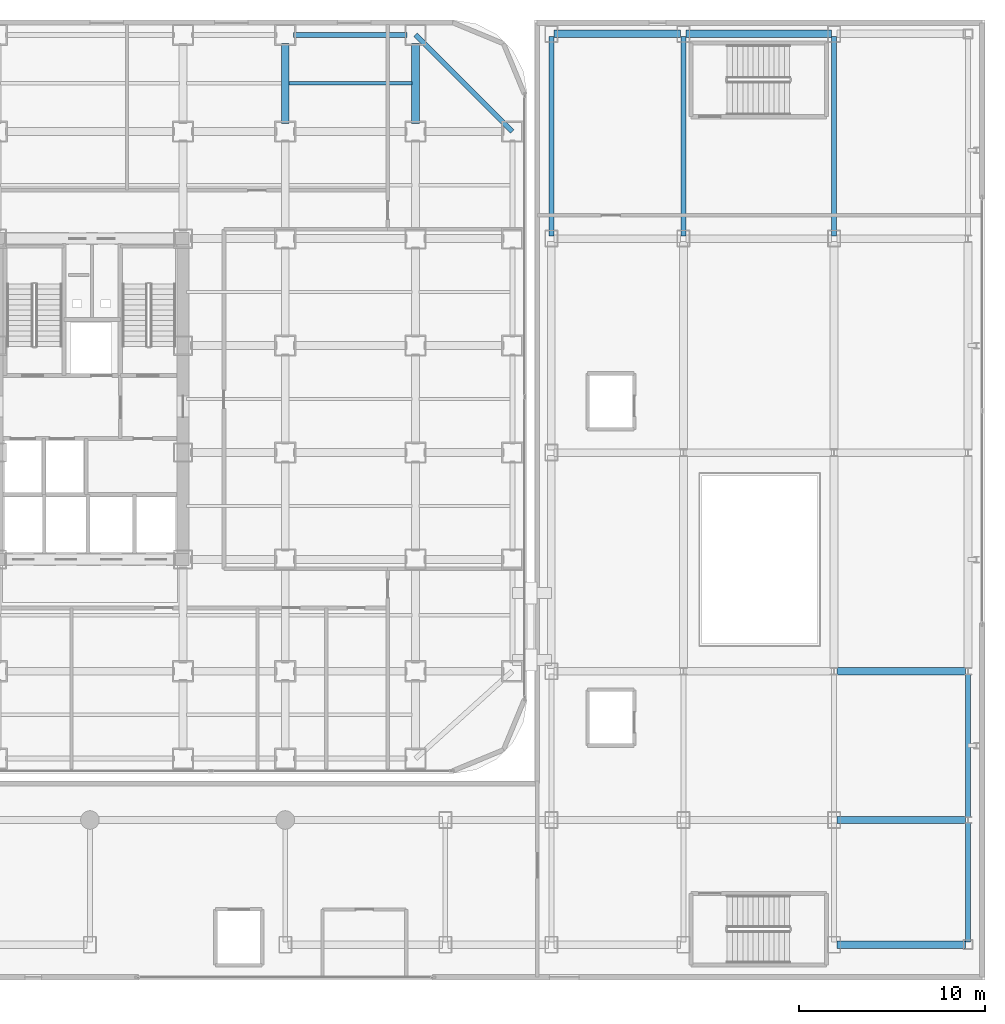
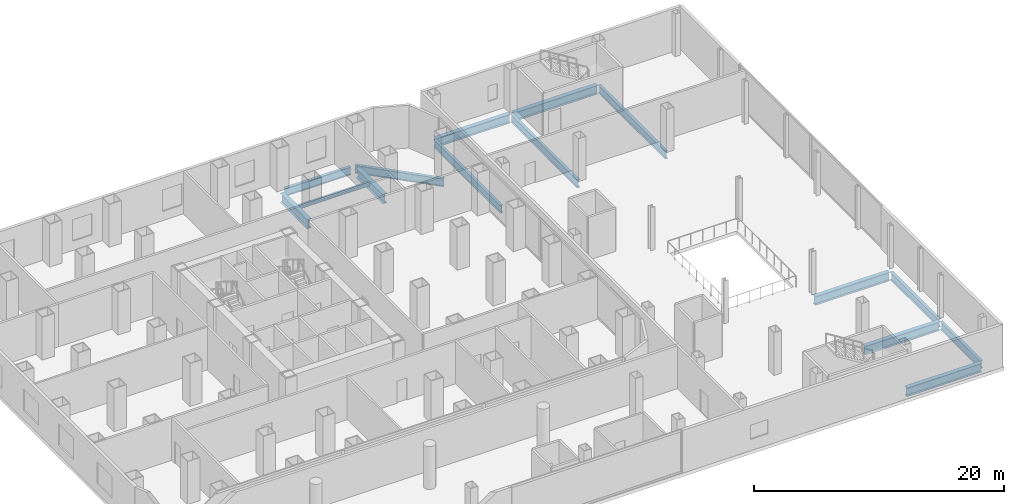
# One storey, part 15 of 26: 15 beams.
"""IFC4 building model written with IfcOpenShell, lengths in metres."""

from ifc_helpers import new_model, si_unit, direction, frame, origin, origin_2d, place, context, subcontext, project, spatial, i_section, extrude, source, transform, mapped, material, material_profile, profile_set, type_object, element, save


model = new_model("IFC4")

# Units and contexts
model_context = context("Model", 3, precision=1e-05, world=origin(), true_north=direction((0.0, 1.0)))
body_context = subcontext(model_context, "Body", "Model", "MODEL_VIEW")
ifc_project = project(units=[si_unit("LENGTHUNIT", "METRE"), si_unit("AREAUNIT", "SQUARE_METRE"), si_unit("VOLUMEUNIT", "CUBIC_METRE"), si_unit("PLANEANGLEUNIT", "RADIAN"), si_unit("MASSUNIT", "GRAM", prefix="KILO")], contexts=[model_context])

# Site, building, storey
site_placement = place(None, origin())
site = spatial("IfcSite", under=ifc_project, at=site_placement, CompositionType="ELEMENT")
building_placement = place(site_placement, origin())
building = spatial("IfcBuilding", under=site, at=building_placement, Name="Kolveth Station Tower", CompositionType="ELEMENT")
storey_placement = place(building_placement, frame((0.0, 0.0, 4.5)))
storey = spatial("IfcBuildingStorey", under=building, at=storey_placement, Name="L01", CompositionType="ELEMENT", Elevation=4.5)

# Beams
ifc_material = material(Name="Steel S355", Category="steel")
ifc_material_profile_1 = material_profile(ifc_material, i_section(OverallWidth=0.26904296875, OverallDepth=0.77490234375, WebThickness=0.01708984375, FlangeThickness=0.0283203125, at=origin_2d()), Name="W760x220")
ifc_profile_set_1 = profile_set([ifc_material_profile_1], Name="Steel S355")
beam_type_1 = type_object("IfcBeamType", Name="Beam_SP1", PredefinedType="SPANDREL", material=ifc_profile_set_1)
shared_shape_1 = source(origin(), body_context, "Body", "SweptSolid", [
    extrude(i_section(OverallWidth=0.26904296875, OverallDepth=0.77490234375, WebThickness=0.01708984375, FlangeThickness=0.0283203125, at=origin_2d()), origin(), (0.0, 0.0, 1.0), 6.10009765625),
])
beam_1_placement = place(storey_placement, frame((34.449951171875, 39.699951171875, -0.70751953125), z_axis=(1.0, 0.0, 0.0), x_axis=(0.0, 1.0, 0.0)))
element("IfcBeam", 1, at=beam_1_placement, inside=storey, type_object=beam_type_1, Name="L01 Perimeter Spandrel BM-L01-PN-5", PredefinedType="SPANDREL", context=body_context, shape_type="MappedRepresentation", body=[
    mapped(shared_shape_1, transform((0.0, 0.0, 0.0), x_axis=(1.0, 0.0, 0.0), y_axis=(0.0, 1.0, 0.0), z_axis=(0.0, 0.0, 1.0), scale=1.0)),
])
shared_shape_2 = source(origin(), body_context, "Body", "SweptSolid", [
    extrude(i_section(OverallWidth=0.26904296875, OverallDepth=0.77490234375, WebThickness=0.01708984375, FlangeThickness=0.0283203125, at=origin_2d()), origin(), (0.0, 0.0, 1.0), 7.353759765625),
])
beam_2_placement = place(storey_placement, frame((46.199951171875, 34.5, -0.70751953125), z_axis=(-0.707106781187, 0.707106781187, 0.0), x_axis=(-0.707106781187, -0.707106781187, 0.0)))
element("IfcBeam", 2, at=beam_2_placement, inside=storey, type_object=beam_type_1, Name="L01 Corner Edge Girder BM-L01-CNR-NE", PredefinedType="SPANDREL", context=body_context, shape_type="MappedRepresentation", body=[
    mapped(shared_shape_2, transform((0.0, 0.0, 0.0), x_axis=(1.0, 0.0, 0.0), y_axis=(0.0, 1.0, 0.0), z_axis=(0.0, 0.0, 1.0), scale=1.0)),
])
ifc_material_profile_2 = material_profile(ifc_material, i_section(OverallWidth=0.41796875, OverallDepth=0.912109375, WebThickness=0.019287109375, FlangeThickness=0.031982421875, at=origin_2d()), Name="W920x342")
ifc_profile_set_2 = profile_set([ifc_material_profile_2], Name="Steel S355")
beam_type_2 = type_object("IfcBeamType", Name="Beam_B1", PredefinedType="BEAM", material=ifc_profile_set_2)
shared_shape_3 = source(origin(), body_context, "Body", "SweptSolid", [
    extrude(i_section(OverallWidth=0.41796875, OverallDepth=0.912109375, WebThickness=0.019287109375, FlangeThickness=0.031982421875, at=origin_2d()), origin(), (0.0, 0.0, 1.0), 4.300048828125),
])
for number, where, z_axis, x_axis, name in (
    (3, (34.0, 34.949951171875, -0.77587890625), (0.0, 1.0, 0.0), (-1.0, 0.0, 0.0), "L01 Primary Girder BM-L01-GX340-7"),
    (4, (41.0, 34.949951171875, -0.77587890625), (0.0, 1.0, 0.0), (-1.0, 0.0, 0.0), "L01 Primary Girder BM-L01-GX410-7"),
):
    element("IfcBeam", number, at=place(storey_placement, frame(where, z_axis=z_axis, x_axis=x_axis)), inside=storey, type_object=beam_type_2, Name=name, PredefinedType="BEAM", context=body_context, shape_type="MappedRepresentation", body=[
        mapped(shared_shape_3, transform((0.0, 0.0, 0.0), x_axis=(1.0, 0.0, 0.0), y_axis=(0.0, 1.0, 0.0), z_axis=(0.0, 0.0, 1.0), scale=1.0)),
    ])
ifc_material_profile_3 = material_profile(ifc_material, i_section(OverallWidth=0.177978515625, OverallDepth=0.406982421875, WebThickness=0.0078125, FlangeThickness=0.0126953125, at=origin_2d()), Name="W410x60")
ifc_profile_set_3 = profile_set([ifc_material_profile_3], Name="Steel S355")
beam_type_3 = type_object("IfcBeamType", Name="Beam_J1", PredefinedType="JOIST", material=ifc_profile_set_3)
shared_shape_4 = source(origin(), body_context, "Body", "SweptSolid", [
    extrude(i_section(OverallWidth=0.177978515625, OverallDepth=0.406982421875, WebThickness=0.0078125, FlangeThickness=0.0126953125, at=origin_2d()), origin(), (0.0, 0.0, 1.0), 6.60986328125),
])
beam_3_placement = place(storey_placement, frame((34.195068359375, 37.10009765625, -0.5234375), z_axis=(1.0, 0.0, 0.0), x_axis=(0.0, 1.0, 0.0)))
element("IfcBeam", 5, at=beam_3_placement, inside=storey, type_object=beam_type_3, Name="L01 Secondary Joist JST-L01-6-7", PredefinedType="JOIST", context=body_context, shape_type="MappedRepresentation", body=[
    mapped(shared_shape_4, transform((0.0, 0.0, 0.0), x_axis=(1.0, 0.0, 0.0), y_axis=(0.0, 1.0, 0.0), z_axis=(0.0, 0.0, 1.0), scale=1.0)),
])
ifc_material_profile_4 = material_profile(ifc_material, i_section(OverallWidth=0.40087890625, OverallDepth=0.85107421875, WebThickness=0.01611328125, FlangeThickness=0.025390625, at=origin_2d()), Name="W840x226")
ifc_profile_set_4 = profile_set([ifc_material_profile_4], Name="Steel S355")
beam_type_4 = type_object("IfcBeamType", Name="Beam_B2", PredefinedType="BEAM", material=ifc_profile_set_4)
shared_shape_5 = source(origin(), body_context, "Body", "SweptSolid", [
    extrude(i_section(OverallWidth=0.40087890625, OverallDepth=0.85107421875, WebThickness=0.01611328125, FlangeThickness=0.025390625, at=origin_2d()), origin(), (0.0, 0.0, 1.0), 6.800048828125),
])
beam_4_placement = place(storey_placement, frame((48.449951171875, 39.75, -0.74560546875), z_axis=(1.0, 0.0, 0.0), x_axis=(0.0, 1.0, 0.0)))
element("IfcBeam", 6, at=beam_4_placement, inside=storey, type_object=beam_type_4, Name="L01 Station Portal Girder SBM-L01-EW-6-1", PredefinedType="BEAM", context=body_context, shape_type="MappedRepresentation", body=[
    mapped(shared_shape_5, transform((0.0, 0.0, 0.0), x_axis=(1.0, 0.0, 0.0), y_axis=(0.0, 1.0, 0.0), z_axis=(0.0, 0.0, 1.0), scale=1.0)),
])
shared_shape_6 = source(origin(), body_context, "Body", "SweptSolid", [
    extrude(i_section(OverallWidth=0.40087890625, OverallDepth=0.85107421875, WebThickness=0.01611328125, FlangeThickness=0.025390625, at=origin_2d()), origin(), (0.0, 0.0, 1.0), 6.900146484375),
])
for number, where, z_axis, x_axis, name in (
    (7, (63.64990234375, -9.199951171875, -0.74560546875), (1.0, 0.0, 0.0), (0.0, 1.0, 0.0), "L01 Station Portal Girder SBM-L01-EW-1-3"),
    (8, (63.64990234375, -2.5, -0.74560546875), (1.0, 0.0, 0.0), (0.0, 1.0, 0.0), "L01 Station Portal Girder SBM-L01-EW-2-3"),
    (9, (63.64990234375, 5.5, -0.74560546875), (1.0, 0.0, 0.0), (0.0, 1.0, 0.0), "L01 Station Portal Girder SBM-L01-EW-3-3"),
):
    element("IfcBeam", number, at=place(storey_placement, frame(where, z_axis=z_axis, x_axis=x_axis)), inside=storey, type_object=beam_type_4, Name=name, PredefinedType="BEAM", context=body_context, shape_type="MappedRepresentation", body=[
        mapped(shared_shape_6, transform((0.0, 0.0, 0.0), x_axis=(1.0, 0.0, 0.0), y_axis=(0.0, 1.0, 0.0), z_axis=(0.0, 0.0, 1.0), scale=1.0)),
    ])
shared_shape_7 = source(origin(), body_context, "Body", "SweptSolid", [
    extrude(i_section(OverallWidth=0.40087890625, OverallDepth=0.85107421875, WebThickness=0.01611328125, FlangeThickness=0.025390625, at=origin_2d()), origin(), (0.0, 0.0, 1.0), 7.800048828125),
])
beam_5_placement = place(storey_placement, frame((55.550048828125, 39.75, -0.74560546875), z_axis=(1.0, 0.0, 0.0), x_axis=(0.0, 1.0, 0.0)))
element("IfcBeam", 10, at=beam_5_placement, inside=storey, type_object=beam_type_4, Name="L01 Station Portal Girder SBM-L01-EW-6-2", PredefinedType="BEAM", context=body_context, shape_type="MappedRepresentation", body=[
    mapped(shared_shape_7, transform((0.0, 0.0, 0.0), x_axis=(1.0, 0.0, 0.0), y_axis=(0.0, 1.0, 0.0), z_axis=(0.0, 0.0, 1.0), scale=1.0)),
])
ifc_material_profile_5 = material_profile(ifc_material, i_section(OverallWidth=0.26708984375, OverallDepth=0.76611328125, WebThickness=0.014892578125, FlangeThickness=0.023681640625, at=origin_2d()), Name="W760x185")
ifc_profile_set_5 = profile_set([ifc_material_profile_5], Name="Steel S355")
beam_type_5 = type_object("IfcBeamType", Name="Beam_B3", PredefinedType="BEAM", material=ifc_profile_set_5)
shared_shape_8 = source(origin(), body_context, "Body", "SweptSolid", [
    extrude(i_section(OverallWidth=0.26708984375, OverallDepth=0.76611328125, WebThickness=0.014892578125, FlangeThickness=0.023681640625, at=origin_2d()), origin(), (0.0, 0.0, 1.0), 6.400146484375),
])
beam_6_placement = place(storey_placement, frame((70.699951171875, -9.050048828125, -0.702880859375), z_axis=(0.0, 1.0, 0.0), x_axis=(-1.0, 0.0, 0.0)))
element("IfcBeam", 11, at=beam_6_placement, inside=storey, type_object=beam_type_5, Name="L01 Station Spine Girder SBM-L01-NS-4-1", PredefinedType="BEAM", context=body_context, shape_type="MappedRepresentation", body=[
    mapped(shared_shape_8, transform((0.0, 0.0, 0.0), x_axis=(1.0, 0.0, 0.0), y_axis=(0.0, 1.0, 0.0), z_axis=(0.0, 0.0, 1.0), scale=1.0)),
])
shared_shape_9 = source(origin(), body_context, "Body", "SweptSolid", [
    extrude(i_section(OverallWidth=0.26708984375, OverallDepth=0.76611328125, WebThickness=0.014892578125, FlangeThickness=0.023681640625, at=origin_2d()), origin(), (0.0, 0.0, 1.0), 7.7001953125),
])
beam_7_placement = place(storey_placement, frame((70.699951171875, -2.35009765625, -0.702880859375), z_axis=(0.0, 1.0, 0.0), x_axis=(-1.0, 0.0, 0.0)))
element("IfcBeam", 12, at=beam_7_placement, inside=storey, type_object=beam_type_5, Name="L01 Station Spine Girder SBM-L01-NS-4-2", PredefinedType="BEAM", context=body_context, shape_type="MappedRepresentation", body=[
    mapped(shared_shape_9, transform((0.0, 0.0, 0.0), x_axis=(1.0, 0.0, 0.0), y_axis=(0.0, 1.0, 0.0), z_axis=(0.0, 0.0, 1.0), scale=1.0)),
])
shared_shape_10 = source(origin(), body_context, "Body", "SweptSolid", [
    extrude(i_section(OverallWidth=0.26708984375, OverallDepth=0.76611328125, WebThickness=0.014892578125, FlangeThickness=0.023681640625, at=origin_2d()), origin(), (0.0, 0.0, 1.0), 10.7001953125),
])
for number, where, z_axis, x_axis, name in (
    (13, (48.300048828125, 28.89990234375, -0.702880859375), (0.0, 1.0, 0.0), (-1.0, 0.0, 0.0), "L01 Station Spine Girder SBM-L01-NS-1-5"),
    (14, (55.39990234375, 28.89990234375, -0.702880859375), (0.0, 1.0, 0.0), (-1.0, 0.0, 0.0), "L01 Station Spine Girder SBM-L01-NS-2-5"),
    (15, (63.5, 28.89990234375, -0.702880859375), (0.0, 1.0, 0.0), (-1.0, 0.0, 0.0), "L01 Station Spine Girder SBM-L01-NS-3-5"),
):
    element("IfcBeam", number, at=place(storey_placement, frame(where, z_axis=z_axis, x_axis=x_axis)), inside=storey, type_object=beam_type_5, Name=name, PredefinedType="BEAM", context=body_context, shape_type="MappedRepresentation", body=[
        mapped(shared_shape_10, transform((0.0, 0.0, 0.0), x_axis=(1.0, 0.0, 0.0), y_axis=(0.0, 1.0, 0.0), z_axis=(0.0, 0.0, 1.0), scale=1.0)),
    ])

save(model, "model.ifc")
